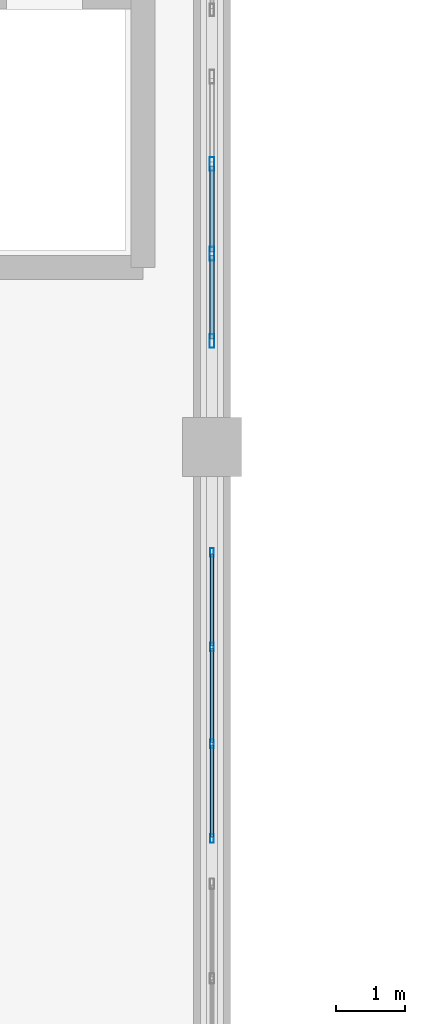
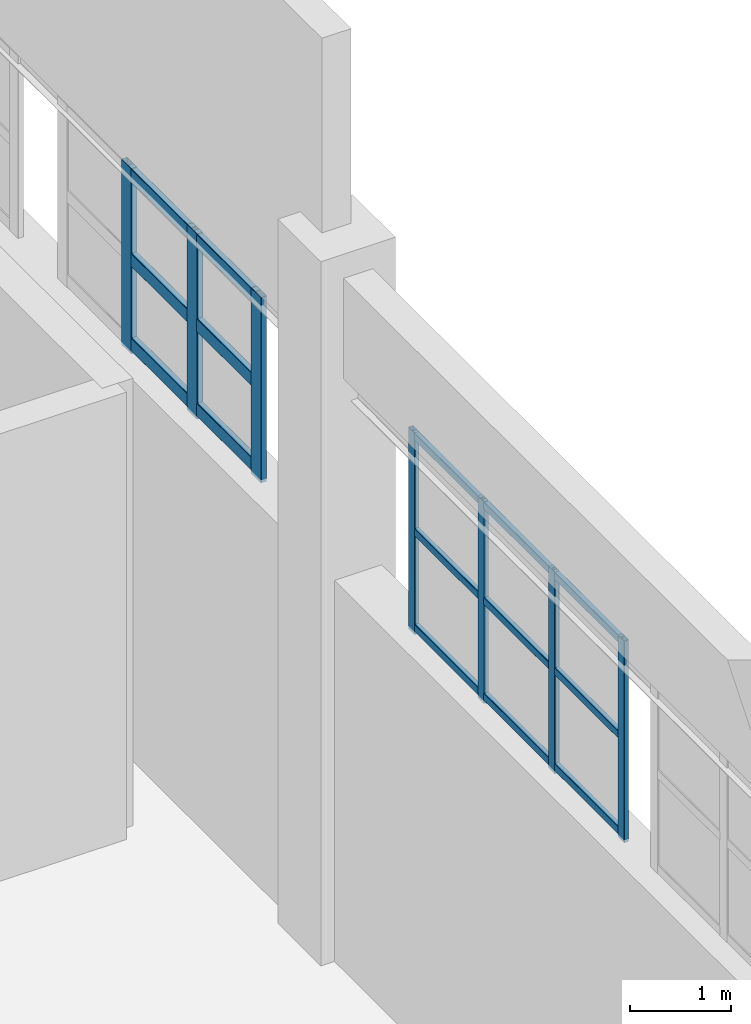
# One storey, part 60 of 97: 22 members, 2 elements without a shape of their own.
"""IFC4 building model written with IfcOpenShell, lengths in metres."""

from ifc_helpers import new_model, si_unit, derived_unit, direction, frame, origin, origin_2d, place, context, subcontext, project, spatial, hollow_rectangle, extrude, material, layer, layer_set, material_profile, profile_set, type_object, element, aggregate, save


model = new_model("IFC4")

# Units and contexts
model_context = context("Model", 3, precision=1e-05, world=origin(), true_north=direction((0.0, 1.0)))
body_context = subcontext(model_context, "Body", "Model", "MODEL_VIEW")
ifc_project = project(units=[si_unit("LENGTHUNIT", "METRE"), si_unit("AREAUNIT", "SQUARE_METRE"), si_unit("VOLUMEUNIT", "CUBIC_METRE"), si_unit("PLANEANGLEUNIT", "RADIAN"), si_unit("MASSUNIT", "GRAM", prefix="KILO"), derived_unit("THERMALTRANSMITTANCEUNIT", [(si_unit("POWERUNIT", "WATT"), 1), (si_unit("LENGTHUNIT", "METRE"), -2), (si_unit("THERMODYNAMICTEMPERATUREUNIT", "KELVIN"), -1)])], contexts=[model_context])

# Site, building, storey
site_placement = place(None, origin())
site = spatial("IfcSite", under=ifc_project, at=site_placement, CompositionType="ELEMENT")
building_placement = place(site_placement, origin())
building = spatial("IfcBuilding", under=site, at=building_placement, Name="Almenara Railside Exhibition Hall", CompositionType="ELEMENT")
storey_placement = place(building_placement, frame((0.0, 0.0, 10.800048828125)))
storey = spatial("IfcBuildingStorey", under=building, at=storey_placement, Name="L02", CompositionType="ELEMENT", Elevation=10.800048828125)

# Curtain wall, members
ifc_material_1 = material(Name="Bronze-anodised aluminium and low-E double glazing", Category="aluminium")
ifc_layer_1 = layer(ifc_material_1, 0.179931640625, Name="Bronze-anodised aluminium and low-E double glazing")
ifc_layer_set_1 = layer_set([ifc_layer_1], Name="Bronze-anodised aluminium and low-E double glazing")
curtain_wall_type_1 = type_object("IfcCurtainWallType", Name="West Hall Clerestory Curtain Wall 4200x2400", PredefinedType="NOTDEFINED", material=ifc_layer_set_1)
curtain_wall_1_placement = place(storey_placement, origin())
curtain_wall_1 = element("IfcCurtainWall", 1, at=curtain_wall_1_placement, inside=storey, type_object=curtain_wall_type_1, Name="Curtain wall CW-CL1-022", PredefinedType="NOTDEFINED")
ifc_material_2 = material(Name="Bronze-anodised aluminium", Category="aluminium")
ifc_material_profile_1 = material_profile(ifc_material_2, hollow_rectangle(XDim=0.054931640625, YDim=0.125, WallThickness=0.0029296875, InnerFilletRadius=0.0029296875, OuterFilletRadius=0.006103515625, at=origin_2d()), Name="ALU-MUL 55x125x3")
ifc_profile_set_1 = profile_set([ifc_material_profile_1], Name="Bronze-anodised aluminium")
member_type_1 = type_object("IfcMemberType", Name="Curtain Wall Mullion 55x125x3", PredefinedType="MULLION", material=ifc_profile_set_1)
member_1_placement = place(storey_placement, frame((66.0, 114.327392578125, 4.56494140625), z_axis=(0.0, 0.0, 1.0), x_axis=(-1.0, 0.0, 0.0)))
member_1 = element("IfcMember", 2, at=member_1_placement, type_object=member_type_1, Name="CW-CL1-022 mullion 1", PredefinedType="MULLION", context=body_context, shape_type="SweptSolid", body=[
    extrude(hollow_rectangle(XDim=0.054931640625, YDim=0.125, WallThickness=0.0029296875, InnerFilletRadius=0.0029296875, OuterFilletRadius=0.006103515625, at=origin_2d()), origin(), (0.0, 0.0, 1.0), 2.43505859375),
])
member_2_placement = place(storey_placement, frame((66.0, 115.699951171875, 4.56494140625), z_axis=(0.0, 0.0, 1.0), x_axis=(-1.0, 0.0, 0.0)))
member_2 = element("IfcMember", 3, at=member_2_placement, type_object=member_type_1, Name="CW-CL1-022 mullion 2", PredefinedType="MULLION", context=body_context, shape_type="SweptSolid", body=[
    extrude(hollow_rectangle(XDim=0.054931640625, YDim=0.125, WallThickness=0.0029296875, InnerFilletRadius=0.0029296875, OuterFilletRadius=0.006103515625, at=origin_2d()), origin(), (0.0, 0.0, 1.0), 2.43505859375),
])
member_3_placement = place(storey_placement, frame((66.0, 117.10009765625, 4.56494140625), z_axis=(0.0, 0.0, 1.0), x_axis=(-1.0, 0.0, 0.0)))
member_3 = element("IfcMember", 4, at=member_3_placement, type_object=member_type_1, Name="CW-CL1-022 mullion 3", PredefinedType="MULLION", context=body_context, shape_type="SweptSolid", body=[
    extrude(hollow_rectangle(XDim=0.054931640625, YDim=0.125, WallThickness=0.0029296875, InnerFilletRadius=0.0029296875, OuterFilletRadius=0.006103515625, at=origin_2d()), origin(), (0.0, 0.0, 1.0), 2.43505859375),
])
member_4_placement = place(storey_placement, frame((66.0, 118.472412109375, 4.56494140625), z_axis=(0.0, 0.0, 1.0), x_axis=(-1.0, 0.0, 0.0)))
member_4 = element("IfcMember", 5, at=member_4_placement, type_object=member_type_1, Name="CW-CL1-022 mullion 4", PredefinedType="MULLION", context=body_context, shape_type="SweptSolid", body=[
    extrude(hollow_rectangle(XDim=0.054931640625, YDim=0.125, WallThickness=0.0029296875, InnerFilletRadius=0.0029296875, OuterFilletRadius=0.006103515625, at=origin_2d()), origin(), (0.0, 0.0, 1.0), 2.43505859375),
])

ifc_layer_2 = layer(ifc_material_1, 0.179931640625, Name="Bronze-anodised aluminium and low-E double glazing")
ifc_layer_set_2 = layer_set([ifc_layer_2], Name="Bronze-anodised aluminium and low-E double glazing")
curtain_wall_type_2 = type_object("IfcCurtainWallType", Name="West Hall Clerestory Curtain Wall 3900x2200", PredefinedType="NOTDEFINED", material=ifc_layer_set_2)
curtain_wall_2_placement = place(storey_placement, origin())
curtain_wall_2 = element("IfcCurtainWall", 6, at=curtain_wall_2_placement, inside=storey, type_object=curtain_wall_type_2, Name="Curtain wall CW-CL2-023", PredefinedType="NOTDEFINED")
ifc_material_profile_2 = material_profile(ifc_material_2, hollow_rectangle(XDim=0.070068359375, YDim=0.199951171875, WallThickness=0.00439453125, InnerFilletRadius=0.00439453125, OuterFilletRadius=0.009033203125, at=origin_2d()), Name="ALU-MUL 70x200x4.5")
ifc_profile_set_2 = profile_set([ifc_material_profile_2], Name="Bronze-anodised aluminium")
member_type_2 = type_object("IfcMemberType", Name="Curtain Wall Mullion 70x200x4.5", PredefinedType="MULLION", material=ifc_profile_set_2)
member_5_placement = place(storey_placement, frame((66.0, 121.534912109375, 4.56494140625), z_axis=(0.0, 0.0, 1.0), x_axis=(-1.0, 0.0, 0.0)))
member_5 = element("IfcMember", 7, at=member_5_placement, type_object=member_type_2, Name="CW-CL2-023 mullion 1", PredefinedType="MULLION", context=body_context, shape_type="SweptSolid", body=[
    extrude(hollow_rectangle(XDim=0.070068359375, YDim=0.199951171875, WallThickness=0.00439453125, InnerFilletRadius=0.00439453125, OuterFilletRadius=0.009033203125, at=origin_2d()), origin(), (0.0, 0.0, 1.0), 2.235107421875),
])
member_6_placement = place(storey_placement, frame((66.0, 122.800048828125, 4.56494140625), z_axis=(0.0, 0.0, 1.0), x_axis=(-1.0, 0.0, 0.0)))
member_6 = element("IfcMember", 8, at=member_6_placement, type_object=member_type_2, Name="CW-CL2-023 mullion 2", PredefinedType="MULLION", context=body_context, shape_type="SweptSolid", body=[
    extrude(hollow_rectangle(XDim=0.070068359375, YDim=0.199951171875, WallThickness=0.00439453125, InnerFilletRadius=0.00439453125, OuterFilletRadius=0.009033203125, at=origin_2d()), origin(), (0.0, 0.0, 1.0), 2.235107421875),
])
member_7_placement = place(storey_placement, frame((66.0, 124.10009765625, 4.56494140625), z_axis=(0.0, 0.0, 1.0), x_axis=(-1.0, 0.0, 0.0)))
member_7 = element("IfcMember", 9, at=member_7_placement, type_object=member_type_2, Name="CW-CL2-023 mullion 3", PredefinedType="MULLION", context=body_context, shape_type="SweptSolid", body=[
    extrude(hollow_rectangle(XDim=0.070068359375, YDim=0.199951171875, WallThickness=0.00439453125, InnerFilletRadius=0.00439453125, OuterFilletRadius=0.009033203125, at=origin_2d()), origin(), (0.0, 0.0, 1.0), 2.235107421875),
])

# Member
ifc_material_profile_3 = material_profile(ifc_material_2, hollow_rectangle(XDim=0.054931640625, YDim=0.090087890625, WallThickness=0.0029296875, InnerFilletRadius=0.0029296875, OuterFilletRadius=0.006103515625, at=origin_2d()), Name="ALU-TRN 55x90x3")
ifc_profile_set_3 = profile_set([ifc_material_profile_3], Name="Bronze-anodised aluminium")
member_type_3 = type_object("IfcMemberType", Name="Curtain Wall Transom 55x90x3", PredefinedType="USERDEFINED", material=ifc_profile_set_3)
member_8_placement = place(storey_placement, frame((66.0, 114.346923828125, 4.64501953125), z_axis=(0.0, 1.0, 0.0), x_axis=(-1.0, 0.0, 0.0)))
member_8 = element("IfcMember", 10, at=member_8_placement, type_object=member_type_3, Name="CW-CL1-022 transom 1.1", ObjectType="TRANSOM", PredefinedType="USERDEFINED", context=body_context, shape_type="SweptSolid", body=[
    extrude(hollow_rectangle(XDim=0.054931640625, YDim=0.090087890625, WallThickness=0.0029296875, InnerFilletRadius=0.0029296875, OuterFilletRadius=0.006103515625, at=origin_2d()), origin(), (0.0, 0.0, 1.0), 1.33349609375),
])

member_9_placement = place(storey_placement, frame((66.0, 114.346923828125, 5.800048828125), z_axis=(0.0, 1.0, 0.0), x_axis=(-1.0, 0.0, 0.0)))
member_9 = element("IfcMember", 11, at=member_9_placement, type_object=member_type_3, Name="CW-CL1-022 transom 1.2", ObjectType="TRANSOM", PredefinedType="USERDEFINED", context=body_context, shape_type="SweptSolid", body=[
    extrude(hollow_rectangle(XDim=0.054931640625, YDim=0.090087890625, WallThickness=0.0029296875, InnerFilletRadius=0.0029296875, OuterFilletRadius=0.006103515625, at=origin_2d()), origin(), (0.0, 0.0, 1.0), 1.33349609375),
])

member_10_placement = place(storey_placement, frame((66.0, 114.346923828125, 6.954833984375), z_axis=(0.0, 1.0, 0.0), x_axis=(-1.0, 0.0, 0.0)))
member_10 = element("IfcMember", 12, at=member_10_placement, type_object=member_type_3, Name="CW-CL1-022 transom 1.3", ObjectType="TRANSOM", PredefinedType="USERDEFINED", context=body_context, shape_type="SweptSolid", body=[
    extrude(hollow_rectangle(XDim=0.054931640625, YDim=0.090087890625, WallThickness=0.0029296875, InnerFilletRadius=0.0029296875, OuterFilletRadius=0.006103515625, at=origin_2d()), origin(), (0.0, 0.0, 1.0), 1.33349609375),
])

member_11_placement = place(storey_placement, frame((66.0, 115.719482421875, 4.64501953125), z_axis=(0.0, 1.0, 0.0), x_axis=(-1.0, 0.0, 0.0)))
member_11 = element("IfcMember", 13, at=member_11_placement, type_object=member_type_3, Name="CW-CL1-022 transom 2.1", ObjectType="TRANSOM", PredefinedType="USERDEFINED", context=body_context, shape_type="SweptSolid", body=[
    extrude(hollow_rectangle(XDim=0.054931640625, YDim=0.090087890625, WallThickness=0.0029296875, InnerFilletRadius=0.0029296875, OuterFilletRadius=0.006103515625, at=origin_2d()), origin(), (0.0, 0.0, 1.0), 1.361083984375),
])

member_12_placement = place(storey_placement, frame((66.0, 115.719482421875, 5.800048828125), z_axis=(0.0, 1.0, 0.0), x_axis=(-1.0, 0.0, 0.0)))
member_12 = element("IfcMember", 14, at=member_12_placement, type_object=member_type_3, Name="CW-CL1-022 transom 2.2", ObjectType="TRANSOM", PredefinedType="USERDEFINED", context=body_context, shape_type="SweptSolid", body=[
    extrude(hollow_rectangle(XDim=0.054931640625, YDim=0.090087890625, WallThickness=0.0029296875, InnerFilletRadius=0.0029296875, OuterFilletRadius=0.006103515625, at=origin_2d()), origin(), (0.0, 0.0, 1.0), 1.361083984375),
])

member_13_placement = place(storey_placement, frame((66.0, 115.719482421875, 6.954833984375), z_axis=(0.0, 1.0, 0.0), x_axis=(-1.0, 0.0, 0.0)))
member_13 = element("IfcMember", 15, at=member_13_placement, type_object=member_type_3, Name="CW-CL1-022 transom 2.3", ObjectType="TRANSOM", PredefinedType="USERDEFINED", context=body_context, shape_type="SweptSolid", body=[
    extrude(hollow_rectangle(XDim=0.054931640625, YDim=0.090087890625, WallThickness=0.0029296875, InnerFilletRadius=0.0029296875, OuterFilletRadius=0.006103515625, at=origin_2d()), origin(), (0.0, 0.0, 1.0), 1.361083984375),
])

member_14_placement = place(storey_placement, frame((66.0, 117.119384765625, 4.64501953125), z_axis=(0.0, 1.0, 0.0), x_axis=(-1.0, 0.0, 0.0)))
member_14 = element("IfcMember", 16, at=member_14_placement, type_object=member_type_3, Name="CW-CL1-022 transom 3.1", ObjectType="TRANSOM", PredefinedType="USERDEFINED", context=body_context, shape_type="SweptSolid", body=[
    extrude(hollow_rectangle(XDim=0.054931640625, YDim=0.090087890625, WallThickness=0.0029296875, InnerFilletRadius=0.0029296875, OuterFilletRadius=0.006103515625, at=origin_2d()), origin(), (0.0, 0.0, 1.0), 1.33349609375),
])

member_15_placement = place(storey_placement, frame((66.0, 117.119384765625, 5.800048828125), z_axis=(0.0, 1.0, 0.0), x_axis=(-1.0, 0.0, 0.0)))
member_15 = element("IfcMember", 17, at=member_15_placement, type_object=member_type_3, Name="CW-CL1-022 transom 3.2", ObjectType="TRANSOM", PredefinedType="USERDEFINED", context=body_context, shape_type="SweptSolid", body=[
    extrude(hollow_rectangle(XDim=0.054931640625, YDim=0.090087890625, WallThickness=0.0029296875, InnerFilletRadius=0.0029296875, OuterFilletRadius=0.006103515625, at=origin_2d()), origin(), (0.0, 0.0, 1.0), 1.33349609375),
])

member_16_placement = place(storey_placement, frame((66.0, 117.119384765625, 6.954833984375), z_axis=(0.0, 1.0, 0.0), x_axis=(-1.0, 0.0, 0.0)))
member_16 = element("IfcMember", 18, at=member_16_placement, type_object=member_type_3, Name="CW-CL1-022 transom 3.3", ObjectType="TRANSOM", PredefinedType="USERDEFINED", context=body_context, shape_type="SweptSolid", body=[
    extrude(hollow_rectangle(XDim=0.054931640625, YDim=0.090087890625, WallThickness=0.0029296875, InnerFilletRadius=0.0029296875, OuterFilletRadius=0.006103515625, at=origin_2d()), origin(), (0.0, 0.0, 1.0), 1.33349609375),
])

aggregate(curtain_wall_1, [member_1, member_2, member_3, member_4, member_8, member_9, member_10, member_11, member_12, member_13, member_14, member_15, member_16])

ifc_material_profile_4 = material_profile(ifc_material_2, hollow_rectangle(XDim=0.070068359375, YDim=0.159912109375, WallThickness=0.00390625, InnerFilletRadius=0.00390625, OuterFilletRadius=0.008056640625, at=origin_2d()), Name="ALU-TRN 70x160x4")
ifc_profile_set_4 = profile_set([ifc_material_profile_4], Name="Bronze-anodised aluminium")
member_type_4 = type_object("IfcMemberType", Name="Curtain Wall Transom 70x160x4", PredefinedType="USERDEFINED", material=ifc_profile_set_4)
member_17_placement = place(storey_placement, frame((66.0, 121.56201171875, 4.679931640625), z_axis=(0.0, 1.0, 0.0), x_axis=(-1.0, 0.0, 0.0)))
member_17 = element("IfcMember", 19, at=member_17_placement, type_object=member_type_4, Name="CW-CL2-023 transom 1.1", ObjectType="TRANSOM", PredefinedType="USERDEFINED", context=body_context, shape_type="SweptSolid", body=[
    extrude(hollow_rectangle(XDim=0.070068359375, YDim=0.159912109375, WallThickness=0.00390625, InnerFilletRadius=0.00390625, OuterFilletRadius=0.008056640625, at=origin_2d()), origin(), (0.0, 0.0, 1.0), 1.2109375),
])

member_18_placement = place(storey_placement, frame((66.0, 121.56201171875, 5.699951171875), z_axis=(0.0, 1.0, 0.0), x_axis=(-1.0, 0.0, 0.0)))
member_18 = element("IfcMember", 20, at=member_18_placement, type_object=member_type_4, Name="CW-CL2-023 transom 1.2", ObjectType="TRANSOM", PredefinedType="USERDEFINED", context=body_context, shape_type="SweptSolid", body=[
    extrude(hollow_rectangle(XDim=0.070068359375, YDim=0.159912109375, WallThickness=0.00390625, InnerFilletRadius=0.00390625, OuterFilletRadius=0.008056640625, at=origin_2d()), origin(), (0.0, 0.0, 1.0), 1.2109375),
])

member_19_placement = place(storey_placement, frame((66.0, 121.56201171875, 6.719970703125), z_axis=(0.0, 1.0, 0.0), x_axis=(-1.0, 0.0, 0.0)))
member_19 = element("IfcMember", 21, at=member_19_placement, type_object=member_type_4, Name="CW-CL2-023 transom 1.3", ObjectType="TRANSOM", PredefinedType="USERDEFINED", context=body_context, shape_type="SweptSolid", body=[
    extrude(hollow_rectangle(XDim=0.070068359375, YDim=0.159912109375, WallThickness=0.00390625, InnerFilletRadius=0.00390625, OuterFilletRadius=0.008056640625, at=origin_2d()), origin(), (0.0, 0.0, 1.0), 1.2109375),
])

member_20_placement = place(storey_placement, frame((66.0, 122.826904296875, 4.679931640625), z_axis=(0.0, 1.0, 0.0), x_axis=(-1.0, 0.0, 0.0)))
member_20 = element("IfcMember", 22, at=member_20_placement, type_object=member_type_4, Name="CW-CL2-023 transom 2.1", ObjectType="TRANSOM", PredefinedType="USERDEFINED", context=body_context, shape_type="SweptSolid", body=[
    extrude(hollow_rectangle(XDim=0.070068359375, YDim=0.159912109375, WallThickness=0.00390625, InnerFilletRadius=0.00390625, OuterFilletRadius=0.008056640625, at=origin_2d()), origin(), (0.0, 0.0, 1.0), 1.24609375),
])

member_21_placement = place(storey_placement, frame((66.0, 122.826904296875, 5.699951171875), z_axis=(0.0, 1.0, 0.0), x_axis=(-1.0, 0.0, 0.0)))
member_21 = element("IfcMember", 23, at=member_21_placement, type_object=member_type_4, Name="CW-CL2-023 transom 2.2", ObjectType="TRANSOM", PredefinedType="USERDEFINED", context=body_context, shape_type="SweptSolid", body=[
    extrude(hollow_rectangle(XDim=0.070068359375, YDim=0.159912109375, WallThickness=0.00390625, InnerFilletRadius=0.00390625, OuterFilletRadius=0.008056640625, at=origin_2d()), origin(), (0.0, 0.0, 1.0), 1.24609375),
])

member_22_placement = place(storey_placement, frame((66.0, 122.826904296875, 6.719970703125), z_axis=(0.0, 1.0, 0.0), x_axis=(-1.0, 0.0, 0.0)))
member_22 = element("IfcMember", 24, at=member_22_placement, type_object=member_type_4, Name="CW-CL2-023 transom 2.3", ObjectType="TRANSOM", PredefinedType="USERDEFINED", context=body_context, shape_type="SweptSolid", body=[
    extrude(hollow_rectangle(XDim=0.070068359375, YDim=0.159912109375, WallThickness=0.00390625, InnerFilletRadius=0.00390625, OuterFilletRadius=0.008056640625, at=origin_2d()), origin(), (0.0, 0.0, 1.0), 1.24609375),
])

aggregate(curtain_wall_2, [member_5, member_6, member_7, member_17, member_18, member_19, member_20, member_21, member_22])

save(model, "model.ifc")
